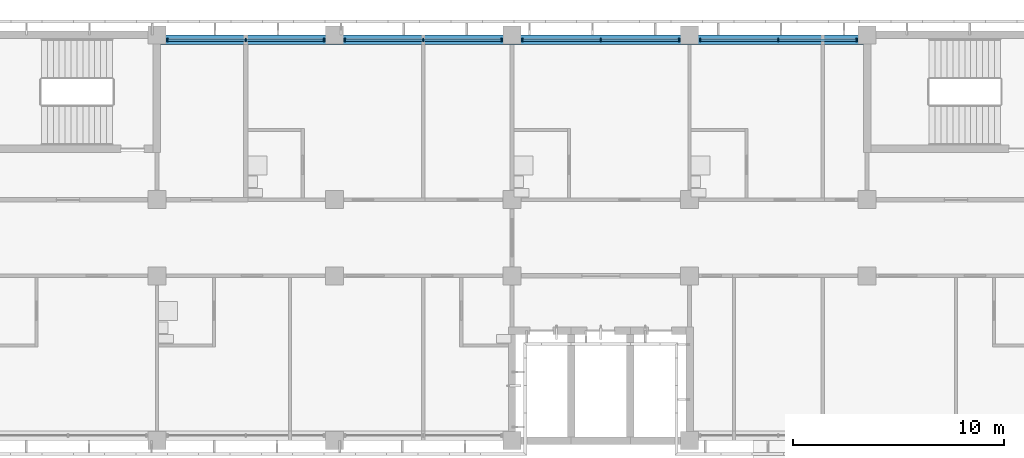
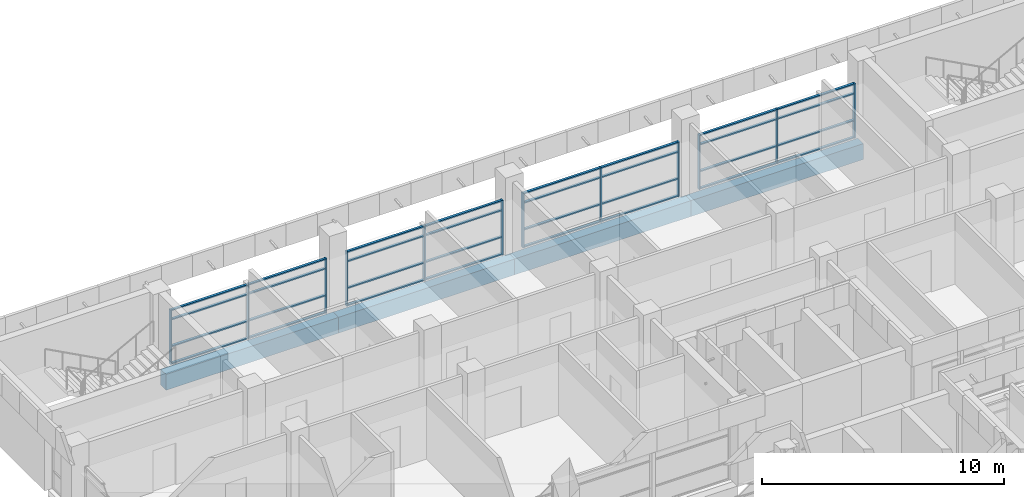
# One storey, part 16 of 74: 44 members, 4 beams, 4 elements without a shape of their own.
"""IFC4 building model written with IfcOpenShell, lengths in metres."""

from ifc_helpers import new_model, si_unit, direction, frame, origin, origin_2d, place, context, subcontext, project, spatial, rectangle, extrude, material, material_profile, profile_set, type_object, element, aggregate, save


model = new_model("IFC4")

# Units and contexts
model_context = context("Model", 3, precision=1e-05, world=origin(), true_north=direction((0.0, 1.0)))
body_context = subcontext(model_context, "Body", "Model", "MODEL_VIEW")
ifc_project = project(units=[si_unit("LENGTHUNIT", "METRE"), si_unit("AREAUNIT", "SQUARE_METRE"), si_unit("VOLUMEUNIT", "CUBIC_METRE"), si_unit("PLANEANGLEUNIT", "RADIAN"), si_unit("MASSUNIT", "GRAM", prefix="KILO")], contexts=[model_context])

# Site, building, storey
site_placement = place(None, origin())
site = spatial("IfcSite", under=ifc_project, at=site_placement, CompositionType="ELEMENT")
building_placement = place(site_placement, origin())
building = spatial("IfcBuilding", under=site, at=building_placement, Name="Bougainvillea Quay General Hospital", CompositionType="ELEMENT")
storey_placement = place(building_placement, frame((0.0, 0.0, 21.0)))
storey = spatial("IfcBuildingStorey", under=building, at=storey_placement, Name="L04", CompositionType="ELEMENT", Elevation=21.0)

# Curtain wall, members
ifc_material_1 = material(Name="Aluminium curtain wall system, powder-coated glazed", Category="aluminium")
curtain_wall_type = type_object("IfcCurtainWallType", Name="Unitised curtain wall CW-3730", PredefinedType="NOTDEFINED", material=ifc_material_1)
curtain_wall_1_placement = place(storey_placement, origin())
curtain_wall_1 = element("IfcCurtainWall", 1, at=curtain_wall_1_placement, inside=storey, type_object=curtain_wall_type, Name="CW-4200 08", PredefinedType="NOTDEFINED")
ifc_material_2 = material(Name="Aluminium mullion, powder-coated charcoal", Category="aluminium")
ifc_material_profile_1 = material_profile(ifc_material_2, rectangle(XDim=0.159912109375, YDim=0.06005859375, at=origin_2d()))
ifc_profile_set_1 = profile_set([ifc_material_profile_1], Name="Aluminium mullion, powder-coated charcoal")
member_type_1 = type_object("IfcMemberType", Name="Curtain wall mullion 160x60", PredefinedType="MULLION", material=ifc_profile_set_1)
member_1_placement = place(storey_placement, frame((83.5, 159.35009765625, 0.0), z_axis=(0.0, 0.0, 1.0), x_axis=(0.0, -1.0, 0.0)))
member_1 = element("IfcMember", 2, at=member_1_placement, type_object=member_type_1, Name="CW-4200 mullion 1", PredefinedType="MULLION", context=body_context, shape_type="SweptSolid", body=[
    extrude(rectangle(XDim=0.159912109375, YDim=0.06005859375, at=origin_2d()), origin(), (0.0, 0.0, 1.0), 2.75),
])
member_2_placement = place(storey_placement, frame((79.800048828125, 159.35009765625, 0.0), z_axis=(0.0, 0.0, 1.0), x_axis=(0.0, -1.0, 0.0)))
member_2 = element("IfcMember", 3, at=member_2_placement, type_object=member_type_1, Name="CW-4200 mullion 2", PredefinedType="MULLION", context=body_context, shape_type="SweptSolid", body=[
    extrude(rectangle(XDim=0.159912109375, YDim=0.06005859375, at=origin_2d()), origin(), (0.0, 0.0, 1.0), 2.75),
])
member_3_placement = place(storey_placement, frame((76.10009765625, 159.35009765625, 0.0), z_axis=(0.0, 0.0, 1.0), x_axis=(0.0, -1.0, 0.0)))
member_3 = element("IfcMember", 4, at=member_3_placement, type_object=member_type_1, Name="CW-4200 mullion 3", PredefinedType="MULLION", context=body_context, shape_type="SweptSolid", body=[
    extrude(rectangle(XDim=0.159912109375, YDim=0.06005859375, at=origin_2d()), origin(), (0.0, 0.0, 1.0), 2.75),
])

curtain_wall_2_placement = place(storey_placement, origin())
curtain_wall_2 = element("IfcCurtainWall", 5, at=curtain_wall_2_placement, inside=storey, type_object=curtain_wall_type, Name="CW-4200 09", PredefinedType="NOTDEFINED")
member_4_placement = place(storey_placement, frame((75.10009765625, 159.35009765625, 0.0), z_axis=(0.0, 0.0, 1.0), x_axis=(0.0, -1.0, 0.0)))
member_4 = element("IfcMember", 6, at=member_4_placement, type_object=member_type_1, Name="CW-4200 mullion 1", PredefinedType="MULLION", context=body_context, shape_type="SweptSolid", body=[
    extrude(rectangle(XDim=0.159912109375, YDim=0.06005859375, at=origin_2d()), origin(), (0.0, 0.0, 1.0), 2.75),
])
member_5_placement = place(storey_placement, frame((71.39990234375, 159.35009765625, 0.0), z_axis=(0.0, 0.0, 1.0), x_axis=(0.0, -1.0, 0.0)))
member_5 = element("IfcMember", 7, at=member_5_placement, type_object=member_type_1, Name="CW-4200 mullion 2", PredefinedType="MULLION", context=body_context, shape_type="SweptSolid", body=[
    extrude(rectangle(XDim=0.159912109375, YDim=0.06005859375, at=origin_2d()), origin(), (0.0, 0.0, 1.0), 2.75),
])
member_6_placement = place(storey_placement, frame((67.699951171875, 159.35009765625, 0.0), z_axis=(0.0, 0.0, 1.0), x_axis=(0.0, -1.0, 0.0)))
member_6 = element("IfcMember", 8, at=member_6_placement, type_object=member_type_1, Name="CW-4200 mullion 3", PredefinedType="MULLION", context=body_context, shape_type="SweptSolid", body=[
    extrude(rectangle(XDim=0.159912109375, YDim=0.06005859375, at=origin_2d()), origin(), (0.0, 0.0, 1.0), 2.75),
])

curtain_wall_3_placement = place(storey_placement, origin())
curtain_wall_3 = element("IfcCurtainWall", 9, at=curtain_wall_3_placement, inside=storey, type_object=curtain_wall_type, Name="CW-4200 10", PredefinedType="NOTDEFINED")
member_7_placement = place(storey_placement, frame((66.699951171875, 159.35009765625, 0.0), z_axis=(0.0, 0.0, 1.0), x_axis=(0.0, -1.0, 0.0)))
member_7 = element("IfcMember", 10, at=member_7_placement, type_object=member_type_1, Name="CW-4200 mullion 1", PredefinedType="MULLION", context=body_context, shape_type="SweptSolid", body=[
    extrude(rectangle(XDim=0.159912109375, YDim=0.06005859375, at=origin_2d()), origin(), (0.0, 0.0, 1.0), 2.75),
])
member_8_placement = place(storey_placement, frame((63.0, 159.35009765625, 0.0), z_axis=(0.0, 0.0, 1.0), x_axis=(0.0, -1.0, 0.0)))
member_8 = element("IfcMember", 11, at=member_8_placement, type_object=member_type_1, Name="CW-4200 mullion 2", PredefinedType="MULLION", context=body_context, shape_type="SweptSolid", body=[
    extrude(rectangle(XDim=0.159912109375, YDim=0.06005859375, at=origin_2d()), origin(), (0.0, 0.0, 1.0), 2.75),
])
member_9_placement = place(storey_placement, frame((59.300048828125, 159.35009765625, 0.0), z_axis=(0.0, 0.0, 1.0), x_axis=(0.0, -1.0, 0.0)))
member_9 = element("IfcMember", 12, at=member_9_placement, type_object=member_type_1, Name="CW-4200 mullion 3", PredefinedType="MULLION", context=body_context, shape_type="SweptSolid", body=[
    extrude(rectangle(XDim=0.159912109375, YDim=0.06005859375, at=origin_2d()), origin(), (0.0, 0.0, 1.0), 2.75),
])

curtain_wall_4_placement = place(storey_placement, origin())
curtain_wall_4 = element("IfcCurtainWall", 13, at=curtain_wall_4_placement, inside=storey, type_object=curtain_wall_type, Name="CW-4200 11", PredefinedType="NOTDEFINED")
member_10_placement = place(storey_placement, frame((58.300048828125, 159.35009765625, 0.0), z_axis=(0.0, 0.0, 1.0), x_axis=(0.0, -1.0, 0.0)))
member_10 = element("IfcMember", 14, at=member_10_placement, type_object=member_type_1, Name="CW-4200 mullion 1", PredefinedType="MULLION", context=body_context, shape_type="SweptSolid", body=[
    extrude(rectangle(XDim=0.159912109375, YDim=0.06005859375, at=origin_2d()), origin(), (0.0, 0.0, 1.0), 2.75),
])
member_11_placement = place(storey_placement, frame((54.60009765625, 159.35009765625, 0.0), z_axis=(0.0, 0.0, 1.0), x_axis=(0.0, -1.0, 0.0)))
member_11 = element("IfcMember", 15, at=member_11_placement, type_object=member_type_1, Name="CW-4200 mullion 2", PredefinedType="MULLION", context=body_context, shape_type="SweptSolid", body=[
    extrude(rectangle(XDim=0.159912109375, YDim=0.06005859375, at=origin_2d()), origin(), (0.0, 0.0, 1.0), 2.75),
])
member_12_placement = place(storey_placement, frame((50.89990234375, 159.35009765625, 0.0), z_axis=(0.0, 0.0, 1.0), x_axis=(0.0, -1.0, 0.0)))
member_12 = element("IfcMember", 16, at=member_12_placement, type_object=member_type_1, Name="CW-4200 mullion 3", PredefinedType="MULLION", context=body_context, shape_type="SweptSolid", body=[
    extrude(rectangle(XDim=0.159912109375, YDim=0.06005859375, at=origin_2d()), origin(), (0.0, 0.0, 1.0), 2.75),
])

# Member
ifc_material_3 = material(Name="Aluminium transom, powder-coated charcoal", Category="aluminium")
ifc_material_profile_2 = material_profile(ifc_material_3, rectangle(XDim=0.1201171875, YDim=0.06005859375, at=origin_2d()))
ifc_profile_set_2 = profile_set([ifc_material_profile_2], Name="Aluminium transom, powder-coated charcoal")
member_type_2 = type_object("IfcMemberType", Name="Curtain wall transom 120x60", PredefinedType="USERDEFINED", material=ifc_profile_set_2)
member_13_placement = place(storey_placement, frame((83.469970703125, 159.35009765625, 0.030029296875), z_axis=(-1.0, 0.0, 0.0), x_axis=(0.0, -1.0, 0.0)))
member_13 = element("IfcMember", 17, at=member_13_placement, type_object=member_type_2, Name="CW-4200 transom 1.1", ObjectType="TRANSOM", PredefinedType="USERDEFINED", context=body_context, shape_type="SweptSolid", body=[
    extrude(rectangle(XDim=0.1201171875, YDim=0.06005859375, at=origin_2d()), origin(), (0.0, 0.0, 1.0), 3.639892578125),
])

member_14_placement = place(storey_placement, frame((83.469970703125, 159.35009765625, 0.89990234375), z_axis=(-1.0, 0.0, 0.0), x_axis=(0.0, -1.0, 0.0)))
member_14 = element("IfcMember", 18, at=member_14_placement, type_object=member_type_2, Name="CW-4200 transom 1.2", ObjectType="TRANSOM", PredefinedType="USERDEFINED", context=body_context, shape_type="SweptSolid", body=[
    extrude(rectangle(XDim=0.1201171875, YDim=0.06005859375, at=origin_2d()), origin(), (0.0, 0.0, 1.0), 3.639892578125),
])

member_15_placement = place(storey_placement, frame((83.469970703125, 159.35009765625, 2.25), z_axis=(-1.0, 0.0, 0.0), x_axis=(0.0, -1.0, 0.0)))
member_15 = element("IfcMember", 19, at=member_15_placement, type_object=member_type_2, Name="CW-4200 transom 1.3", ObjectType="TRANSOM", PredefinedType="USERDEFINED", context=body_context, shape_type="SweptSolid", body=[
    extrude(rectangle(XDim=0.1201171875, YDim=0.06005859375, at=origin_2d()), origin(), (0.0, 0.0, 1.0), 3.639892578125),
])

member_16_placement = place(storey_placement, frame((83.469970703125, 159.35009765625, 2.719970703125), z_axis=(-1.0, 0.0, 0.0), x_axis=(0.0, -1.0, 0.0)))
member_16 = element("IfcMember", 20, at=member_16_placement, type_object=member_type_2, Name="CW-4200 transom 1.4", ObjectType="TRANSOM", PredefinedType="USERDEFINED", context=body_context, shape_type="SweptSolid", body=[
    extrude(rectangle(XDim=0.1201171875, YDim=0.06005859375, at=origin_2d()), origin(), (0.0, 0.0, 1.0), 3.639892578125),
])

member_17_placement = place(storey_placement, frame((79.77001953125, 159.35009765625, 0.030029296875), z_axis=(-1.0, 0.0, 0.0), x_axis=(0.0, -1.0, 0.0)))
member_17 = element("IfcMember", 21, at=member_17_placement, type_object=member_type_2, Name="CW-4200 transom 2.1", ObjectType="TRANSOM", PredefinedType="USERDEFINED", context=body_context, shape_type="SweptSolid", body=[
    extrude(rectangle(XDim=0.1201171875, YDim=0.06005859375, at=origin_2d()), origin(), (0.0, 0.0, 1.0), 3.64013671875),
])

member_18_placement = place(storey_placement, frame((79.77001953125, 159.35009765625, 0.89990234375), z_axis=(-1.0, 0.0, 0.0), x_axis=(0.0, -1.0, 0.0)))
member_18 = element("IfcMember", 22, at=member_18_placement, type_object=member_type_2, Name="CW-4200 transom 2.2", ObjectType="TRANSOM", PredefinedType="USERDEFINED", context=body_context, shape_type="SweptSolid", body=[
    extrude(rectangle(XDim=0.1201171875, YDim=0.06005859375, at=origin_2d()), origin(), (0.0, 0.0, 1.0), 3.64013671875),
])

member_19_placement = place(storey_placement, frame((79.77001953125, 159.35009765625, 2.25), z_axis=(-1.0, 0.0, 0.0), x_axis=(0.0, -1.0, 0.0)))
member_19 = element("IfcMember", 23, at=member_19_placement, type_object=member_type_2, Name="CW-4200 transom 2.3", ObjectType="TRANSOM", PredefinedType="USERDEFINED", context=body_context, shape_type="SweptSolid", body=[
    extrude(rectangle(XDim=0.1201171875, YDim=0.06005859375, at=origin_2d()), origin(), (0.0, 0.0, 1.0), 3.64013671875),
])

member_20_placement = place(storey_placement, frame((79.77001953125, 159.35009765625, 2.719970703125), z_axis=(-1.0, 0.0, 0.0), x_axis=(0.0, -1.0, 0.0)))
member_20 = element("IfcMember", 24, at=member_20_placement, type_object=member_type_2, Name="CW-4200 transom 2.4", ObjectType="TRANSOM", PredefinedType="USERDEFINED", context=body_context, shape_type="SweptSolid", body=[
    extrude(rectangle(XDim=0.1201171875, YDim=0.06005859375, at=origin_2d()), origin(), (0.0, 0.0, 1.0), 3.64013671875),
])

aggregate(curtain_wall_1, [member_1, member_2, member_3, member_13, member_14, member_15, member_16, member_17, member_18, member_19, member_20])

member_21_placement = place(storey_placement, frame((75.070068359375, 159.35009765625, 0.030029296875), z_axis=(-1.0, 0.0, 0.0), x_axis=(0.0, -1.0, 0.0)))
member_21 = element("IfcMember", 25, at=member_21_placement, type_object=member_type_2, Name="CW-4200 transom 1.1", ObjectType="TRANSOM", PredefinedType="USERDEFINED", context=body_context, shape_type="SweptSolid", body=[
    extrude(rectangle(XDim=0.1201171875, YDim=0.06005859375, at=origin_2d()), origin(), (0.0, 0.0, 1.0), 3.64013671875),
])

member_22_placement = place(storey_placement, frame((75.070068359375, 159.35009765625, 0.89990234375), z_axis=(-1.0, 0.0, 0.0), x_axis=(0.0, -1.0, 0.0)))
member_22 = element("IfcMember", 26, at=member_22_placement, type_object=member_type_2, Name="CW-4200 transom 1.2", ObjectType="TRANSOM", PredefinedType="USERDEFINED", context=body_context, shape_type="SweptSolid", body=[
    extrude(rectangle(XDim=0.1201171875, YDim=0.06005859375, at=origin_2d()), origin(), (0.0, 0.0, 1.0), 3.64013671875),
])

member_23_placement = place(storey_placement, frame((75.070068359375, 159.35009765625, 2.25), z_axis=(-1.0, 0.0, 0.0), x_axis=(0.0, -1.0, 0.0)))
member_23 = element("IfcMember", 27, at=member_23_placement, type_object=member_type_2, Name="CW-4200 transom 1.3", ObjectType="TRANSOM", PredefinedType="USERDEFINED", context=body_context, shape_type="SweptSolid", body=[
    extrude(rectangle(XDim=0.1201171875, YDim=0.06005859375, at=origin_2d()), origin(), (0.0, 0.0, 1.0), 3.64013671875),
])

member_24_placement = place(storey_placement, frame((75.070068359375, 159.35009765625, 2.719970703125), z_axis=(-1.0, 0.0, 0.0), x_axis=(0.0, -1.0, 0.0)))
member_24 = element("IfcMember", 28, at=member_24_placement, type_object=member_type_2, Name="CW-4200 transom 1.4", ObjectType="TRANSOM", PredefinedType="USERDEFINED", context=body_context, shape_type="SweptSolid", body=[
    extrude(rectangle(XDim=0.1201171875, YDim=0.06005859375, at=origin_2d()), origin(), (0.0, 0.0, 1.0), 3.64013671875),
])

member_25_placement = place(storey_placement, frame((71.3701171875, 159.35009765625, 0.030029296875), z_axis=(-1.0, 0.0, 0.0), x_axis=(0.0, -1.0, 0.0)))
member_25 = element("IfcMember", 29, at=member_25_placement, type_object=member_type_2, Name="CW-4200 transom 2.1", ObjectType="TRANSOM", PredefinedType="USERDEFINED", context=body_context, shape_type="SweptSolid", body=[
    extrude(rectangle(XDim=0.1201171875, YDim=0.06005859375, at=origin_2d()), origin(), (0.0, 0.0, 1.0), 3.64013671875),
])

member_26_placement = place(storey_placement, frame((71.3701171875, 159.35009765625, 0.89990234375), z_axis=(-1.0, 0.0, 0.0), x_axis=(0.0, -1.0, 0.0)))
member_26 = element("IfcMember", 30, at=member_26_placement, type_object=member_type_2, Name="CW-4200 transom 2.2", ObjectType="TRANSOM", PredefinedType="USERDEFINED", context=body_context, shape_type="SweptSolid", body=[
    extrude(rectangle(XDim=0.1201171875, YDim=0.06005859375, at=origin_2d()), origin(), (0.0, 0.0, 1.0), 3.64013671875),
])

member_27_placement = place(storey_placement, frame((71.3701171875, 159.35009765625, 2.25), z_axis=(-1.0, 0.0, 0.0), x_axis=(0.0, -1.0, 0.0)))
member_27 = element("IfcMember", 31, at=member_27_placement, type_object=member_type_2, Name="CW-4200 transom 2.3", ObjectType="TRANSOM", PredefinedType="USERDEFINED", context=body_context, shape_type="SweptSolid", body=[
    extrude(rectangle(XDim=0.1201171875, YDim=0.06005859375, at=origin_2d()), origin(), (0.0, 0.0, 1.0), 3.64013671875),
])

member_28_placement = place(storey_placement, frame((71.3701171875, 159.35009765625, 2.719970703125), z_axis=(-1.0, 0.0, 0.0), x_axis=(0.0, -1.0, 0.0)))
member_28 = element("IfcMember", 32, at=member_28_placement, type_object=member_type_2, Name="CW-4200 transom 2.4", ObjectType="TRANSOM", PredefinedType="USERDEFINED", context=body_context, shape_type="SweptSolid", body=[
    extrude(rectangle(XDim=0.1201171875, YDim=0.06005859375, at=origin_2d()), origin(), (0.0, 0.0, 1.0), 3.64013671875),
])

aggregate(curtain_wall_2, [member_4, member_5, member_6, member_21, member_22, member_23, member_24, member_25, member_26, member_27, member_28])

member_29_placement = place(storey_placement, frame((66.669921875, 159.35009765625, 0.030029296875), z_axis=(-1.0, 0.0, 0.0), x_axis=(0.0, -1.0, 0.0)))
member_29 = element("IfcMember", 33, at=member_29_placement, type_object=member_type_2, Name="CW-4200 transom 1.1", ObjectType="TRANSOM", PredefinedType="USERDEFINED", context=body_context, shape_type="SweptSolid", body=[
    extrude(rectangle(XDim=0.1201171875, YDim=0.06005859375, at=origin_2d()), origin(), (0.0, 0.0, 1.0), 3.639892578125),
])

member_30_placement = place(storey_placement, frame((66.669921875, 159.35009765625, 0.89990234375), z_axis=(-1.0, 0.0, 0.0), x_axis=(0.0, -1.0, 0.0)))
member_30 = element("IfcMember", 34, at=member_30_placement, type_object=member_type_2, Name="CW-4200 transom 1.2", ObjectType="TRANSOM", PredefinedType="USERDEFINED", context=body_context, shape_type="SweptSolid", body=[
    extrude(rectangle(XDim=0.1201171875, YDim=0.06005859375, at=origin_2d()), origin(), (0.0, 0.0, 1.0), 3.639892578125),
])

member_31_placement = place(storey_placement, frame((66.669921875, 159.35009765625, 2.25), z_axis=(-1.0, 0.0, 0.0), x_axis=(0.0, -1.0, 0.0)))
member_31 = element("IfcMember", 35, at=member_31_placement, type_object=member_type_2, Name="CW-4200 transom 1.3", ObjectType="TRANSOM", PredefinedType="USERDEFINED", context=body_context, shape_type="SweptSolid", body=[
    extrude(rectangle(XDim=0.1201171875, YDim=0.06005859375, at=origin_2d()), origin(), (0.0, 0.0, 1.0), 3.639892578125),
])

member_32_placement = place(storey_placement, frame((66.669921875, 159.35009765625, 2.719970703125), z_axis=(-1.0, 0.0, 0.0), x_axis=(0.0, -1.0, 0.0)))
member_32 = element("IfcMember", 36, at=member_32_placement, type_object=member_type_2, Name="CW-4200 transom 1.4", ObjectType="TRANSOM", PredefinedType="USERDEFINED", context=body_context, shape_type="SweptSolid", body=[
    extrude(rectangle(XDim=0.1201171875, YDim=0.06005859375, at=origin_2d()), origin(), (0.0, 0.0, 1.0), 3.639892578125),
])

member_33_placement = place(storey_placement, frame((62.969970703125, 159.35009765625, 0.030029296875), z_axis=(-1.0, 0.0, 0.0), x_axis=(0.0, -1.0, 0.0)))
member_33 = element("IfcMember", 37, at=member_33_placement, type_object=member_type_2, Name="CW-4200 transom 2.1", ObjectType="TRANSOM", PredefinedType="USERDEFINED", context=body_context, shape_type="SweptSolid", body=[
    extrude(rectangle(XDim=0.1201171875, YDim=0.06005859375, at=origin_2d()), origin(), (0.0, 0.0, 1.0), 3.639892578125),
])

member_34_placement = place(storey_placement, frame((62.969970703125, 159.35009765625, 0.89990234375), z_axis=(-1.0, 0.0, 0.0), x_axis=(0.0, -1.0, 0.0)))
member_34 = element("IfcMember", 38, at=member_34_placement, type_object=member_type_2, Name="CW-4200 transom 2.2", ObjectType="TRANSOM", PredefinedType="USERDEFINED", context=body_context, shape_type="SweptSolid", body=[
    extrude(rectangle(XDim=0.1201171875, YDim=0.06005859375, at=origin_2d()), origin(), (0.0, 0.0, 1.0), 3.639892578125),
])

member_35_placement = place(storey_placement, frame((62.969970703125, 159.35009765625, 2.25), z_axis=(-1.0, 0.0, 0.0), x_axis=(0.0, -1.0, 0.0)))
member_35 = element("IfcMember", 39, at=member_35_placement, type_object=member_type_2, Name="CW-4200 transom 2.3", ObjectType="TRANSOM", PredefinedType="USERDEFINED", context=body_context, shape_type="SweptSolid", body=[
    extrude(rectangle(XDim=0.1201171875, YDim=0.06005859375, at=origin_2d()), origin(), (0.0, 0.0, 1.0), 3.639892578125),
])

member_36_placement = place(storey_placement, frame((62.969970703125, 159.35009765625, 2.719970703125), z_axis=(-1.0, 0.0, 0.0), x_axis=(0.0, -1.0, 0.0)))
member_36 = element("IfcMember", 40, at=member_36_placement, type_object=member_type_2, Name="CW-4200 transom 2.4", ObjectType="TRANSOM", PredefinedType="USERDEFINED", context=body_context, shape_type="SweptSolid", body=[
    extrude(rectangle(XDim=0.1201171875, YDim=0.06005859375, at=origin_2d()), origin(), (0.0, 0.0, 1.0), 3.639892578125),
])

aggregate(curtain_wall_3, [member_7, member_8, member_9, member_29, member_30, member_31, member_32, member_33, member_34, member_35, member_36])

member_37_placement = place(storey_placement, frame((58.27001953125, 159.35009765625, 0.030029296875), z_axis=(-1.0, 0.0, 0.0), x_axis=(0.0, -1.0, 0.0)))
member_37 = element("IfcMember", 41, at=member_37_placement, type_object=member_type_2, Name="CW-4200 transom 1.1", ObjectType="TRANSOM", PredefinedType="USERDEFINED", context=body_context, shape_type="SweptSolid", body=[
    extrude(rectangle(XDim=0.1201171875, YDim=0.06005859375, at=origin_2d()), origin(), (0.0, 0.0, 1.0), 3.64013671875),
])

member_38_placement = place(storey_placement, frame((58.27001953125, 159.35009765625, 0.89990234375), z_axis=(-1.0, 0.0, 0.0), x_axis=(0.0, -1.0, 0.0)))
member_38 = element("IfcMember", 42, at=member_38_placement, type_object=member_type_2, Name="CW-4200 transom 1.2", ObjectType="TRANSOM", PredefinedType="USERDEFINED", context=body_context, shape_type="SweptSolid", body=[
    extrude(rectangle(XDim=0.1201171875, YDim=0.06005859375, at=origin_2d()), origin(), (0.0, 0.0, 1.0), 3.64013671875),
])

member_39_placement = place(storey_placement, frame((58.27001953125, 159.35009765625, 2.25), z_axis=(-1.0, 0.0, 0.0), x_axis=(0.0, -1.0, 0.0)))
member_39 = element("IfcMember", 43, at=member_39_placement, type_object=member_type_2, Name="CW-4200 transom 1.3", ObjectType="TRANSOM", PredefinedType="USERDEFINED", context=body_context, shape_type="SweptSolid", body=[
    extrude(rectangle(XDim=0.1201171875, YDim=0.06005859375, at=origin_2d()), origin(), (0.0, 0.0, 1.0), 3.64013671875),
])

member_40_placement = place(storey_placement, frame((58.27001953125, 159.35009765625, 2.719970703125), z_axis=(-1.0, 0.0, 0.0), x_axis=(0.0, -1.0, 0.0)))
member_40 = element("IfcMember", 44, at=member_40_placement, type_object=member_type_2, Name="CW-4200 transom 1.4", ObjectType="TRANSOM", PredefinedType="USERDEFINED", context=body_context, shape_type="SweptSolid", body=[
    extrude(rectangle(XDim=0.1201171875, YDim=0.06005859375, at=origin_2d()), origin(), (0.0, 0.0, 1.0), 3.64013671875),
])

member_41_placement = place(storey_placement, frame((54.570068359375, 159.35009765625, 0.030029296875), z_axis=(-1.0, 0.0, 0.0), x_axis=(0.0, -1.0, 0.0)))
member_41 = element("IfcMember", 45, at=member_41_placement, type_object=member_type_2, Name="CW-4200 transom 2.1", ObjectType="TRANSOM", PredefinedType="USERDEFINED", context=body_context, shape_type="SweptSolid", body=[
    extrude(rectangle(XDim=0.1201171875, YDim=0.06005859375, at=origin_2d()), origin(), (0.0, 0.0, 1.0), 3.64013671875),
])

member_42_placement = place(storey_placement, frame((54.570068359375, 159.35009765625, 0.89990234375), z_axis=(-1.0, 0.0, 0.0), x_axis=(0.0, -1.0, 0.0)))
member_42 = element("IfcMember", 46, at=member_42_placement, type_object=member_type_2, Name="CW-4200 transom 2.2", ObjectType="TRANSOM", PredefinedType="USERDEFINED", context=body_context, shape_type="SweptSolid", body=[
    extrude(rectangle(XDim=0.1201171875, YDim=0.06005859375, at=origin_2d()), origin(), (0.0, 0.0, 1.0), 3.64013671875),
])

member_43_placement = place(storey_placement, frame((54.570068359375, 159.35009765625, 2.25), z_axis=(-1.0, 0.0, 0.0), x_axis=(0.0, -1.0, 0.0)))
member_43 = element("IfcMember", 47, at=member_43_placement, type_object=member_type_2, Name="CW-4200 transom 2.3", ObjectType="TRANSOM", PredefinedType="USERDEFINED", context=body_context, shape_type="SweptSolid", body=[
    extrude(rectangle(XDim=0.1201171875, YDim=0.06005859375, at=origin_2d()), origin(), (0.0, 0.0, 1.0), 3.64013671875),
])

member_44_placement = place(storey_placement, frame((54.570068359375, 159.35009765625, 2.719970703125), z_axis=(-1.0, 0.0, 0.0), x_axis=(0.0, -1.0, 0.0)))
member_44 = element("IfcMember", 48, at=member_44_placement, type_object=member_type_2, Name="CW-4200 transom 2.4", ObjectType="TRANSOM", PredefinedType="USERDEFINED", context=body_context, shape_type="SweptSolid", body=[
    extrude(rectangle(XDim=0.1201171875, YDim=0.06005859375, at=origin_2d()), origin(), (0.0, 0.0, 1.0), 3.64013671875),
])

aggregate(curtain_wall_4, [member_10, member_11, member_12, member_37, member_38, member_39, member_40, member_41, member_42, member_43, member_44])

# Beams
ifc_material_4 = material(Name="Concrete C40", Category="concrete")
ifc_material_profile_3 = material_profile(ifc_material_4, rectangle(XDim=0.449951171875, YDim=0.800048828125, at=origin_2d()))
ifc_profile_set_3 = profile_set([ifc_material_profile_3], Name="Concrete C40")
beam_type = type_object("IfcBeamType", Name="RC BEAM 450x800 C40", PredefinedType="BEAM", material=ifc_profile_set_3)
beam_1_placement = place(storey_placement, frame((83.824951171875, 159.375, -0.699951171875), z_axis=(-1.0, 0.0, 0.0), x_axis=(0.0, -1.0, 0.0)))
element("IfcBeam", 49, at=beam_1_placement, inside=storey, type_object=beam_type, Name="Edge beam L04", PredefinedType="BEAM", context=body_context, shape_type="SweptSolid", body=[
    extrude(rectangle(XDim=0.449951171875, YDim=0.800048828125, at=origin_2d()), origin(), (0.0, 0.0, 1.0), 8.224853515625),
])
beam_2_placement = place(storey_placement, frame((75.60009765625, 159.375, -0.699951171875), z_axis=(-1.0, 0.0, 0.0), x_axis=(0.0, -1.0, 0.0)))
element("IfcBeam", 50, at=beam_2_placement, inside=storey, type_object=beam_type, Name="Edge beam L04", PredefinedType="BEAM", context=body_context, shape_type="SweptSolid", body=[
    extrude(rectangle(XDim=0.449951171875, YDim=0.800048828125, at=origin_2d()), origin(), (0.0, 0.0, 1.0), 8.400146484375),
])
beam_3_placement = place(storey_placement, frame((67.199951171875, 159.375, -0.699951171875), z_axis=(-1.0, 0.0, 0.0), x_axis=(0.0, -1.0, 0.0)))
element("IfcBeam", 51, at=beam_3_placement, inside=storey, type_object=beam_type, Name="Edge beam L04", PredefinedType="BEAM", context=body_context, shape_type="SweptSolid", body=[
    extrude(rectangle(XDim=0.449951171875, YDim=0.800048828125, at=origin_2d()), origin(), (0.0, 0.0, 1.0), 8.39990234375),
])
beam_4_placement = place(storey_placement, frame((58.800048828125, 159.375, -0.699951171875), z_axis=(-1.0, 0.0, 0.0), x_axis=(0.0, -1.0, 0.0)))
element("IfcBeam", 52, at=beam_4_placement, inside=storey, type_object=beam_type, Name="Edge beam L04", PredefinedType="BEAM", context=body_context, shape_type="SweptSolid", body=[
    extrude(rectangle(XDim=0.449951171875, YDim=0.800048828125, at=origin_2d()), origin(), (0.0, 0.0, 1.0), 8.22509765625),
])

save(model, "model.ifc")
